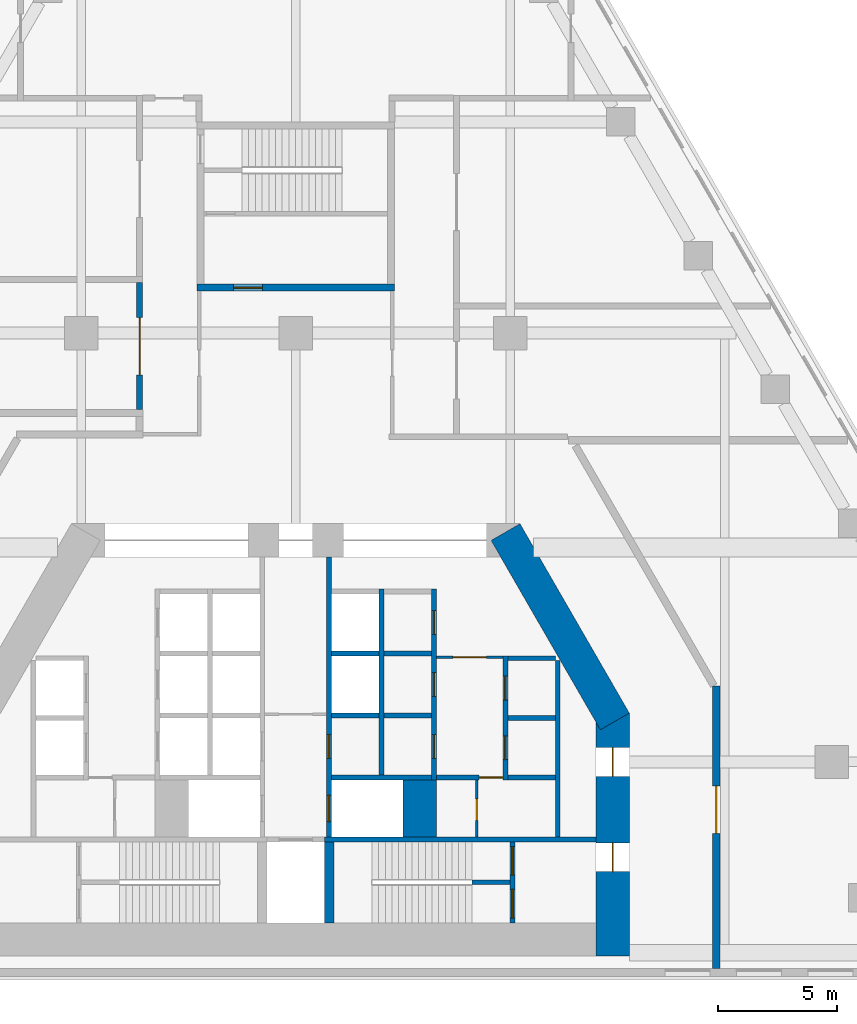
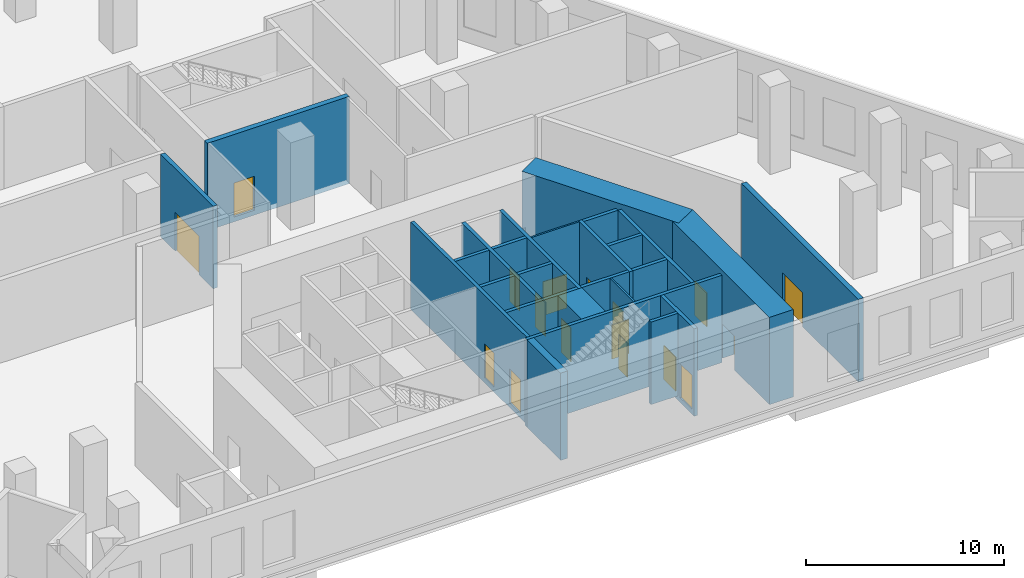
# One storey, part 6 of 10: 26 walls, 17 doors, 17 openings.
"""IFC4 building model written with IfcOpenShell, lengths in metres."""

from ifc_helpers import new_model, si_unit, direction, frame, frame_2d, origin, place, context, subcontext, project, spatial, rectangle, extrude, material, layer, layer_set, type_object, element, fill, save


model = new_model("IFC4")

# Units and contexts
model_context = context("Model", 3, precision=1e-05, world=origin(), true_north=direction((0.0, 1.0)))
body_context = subcontext(model_context, "Body", "Model", "MODEL_VIEW")
ifc_project = project(units=[si_unit("LENGTHUNIT", "METRE"), si_unit("AREAUNIT", "SQUARE_METRE"), si_unit("VOLUMEUNIT", "CUBIC_METRE"), si_unit("PLANEANGLEUNIT", "RADIAN"), si_unit("MASSUNIT", "GRAM", prefix="KILO")], contexts=[model_context])

# Site, building, storey
site_placement = place(None, origin())
site = spatial("IfcSite", under=ifc_project, at=site_placement, CompositionType="ELEMENT")
building_placement = place(site_placement, origin())
building = spatial("IfcBuilding", under=site, at=building_placement, Name="Fogline Exchange Tower", CompositionType="ELEMENT")
storey_placement = place(building_placement, frame((0.0, 0.0, 47.5)))
storey = spatial("IfcBuildingStorey", under=building, at=storey_placement, Name="L09", CompositionType="ELEMENT", Elevation=47.5)

# Wall, opening, door
ifc_material_1 = material(Name="Blockwork partition", Category="masonry")
ifc_layer_1 = layer(ifc_material_1, 0.10009765625)
ifc_layer_set_1 = layer_set([ifc_layer_1], Name="CW10")
wall_type_1 = type_object("IfcWallType", Name="CW10", PredefinedType="PARTITIONING", material=ifc_layer_set_1)
wall_1_placement = place(storey_placement, frame((5.89990234375, 13.39990234375, 0.0), z_axis=(0.0, 0.0, 1.0), x_axis=(1.0, 0.0, 0.0)))
wall_1 = element("IfcWall", 1, at=wall_1_placement, inside=storey, type_object=wall_type_1, Name="Lift lobby partition", PredefinedType="PARTITIONING", context=body_context, shape_type="SweptSolid", body=[
    extrude(rectangle(XDim=2.800048828125, YDim=0.10009765625, at=frame_2d((1.39990234375, 0.0))), origin(), (0.0, 0.0, 1.0), 5.10009765625),
])
opening_1_placement = place(wall_1_placement, frame((0.699951171875, 0.0, 0.0)))
opening_1 = element("IfcOpeningElement", 2, at=opening_1_placement, cuts=wall_1, Name="Opening L09-C012", PredefinedType="OPENING", context=body_context, shape_type="SweptSolid", body=[
    extrude(rectangle(XDim=1.39990234375, YDim=2.10009765625, at=frame_2d((0.699951171875, 1.050048828125))), frame((0.0, 0.06005859375, 0.0), z_axis=(0.0, -1.0, 0.0), x_axis=(1.0, 0.0, 0.0)), (0.0, 0.0, 1.0), 0.1201171875),
])
ifc_material_2 = material(Name="Steel and timber fire door", Category="steel")
door_type_1 = type_object("IfcDoorType", Name="D-LB1", OperationType="DOUBLE_DOOR_SINGLE_SWING", PredefinedType="DOOR", material=ifc_material_2)
door_1_placement = place(opening_1_placement, frame((1.39990234375, 0.0, 0.0), z_axis=(0.0, 0.0, 1.0), x_axis=(-1.0, 0.0, 0.0)))
door_1 = element("IfcDoor", 3, at=door_1_placement, inside=storey, type_object=door_type_1, Name="Door to lift lobby", OperationType="DOUBLE_DOOR_SINGLE_SWING", OverallHeight=2.10009765625, OverallWidth=1.39990234375, PredefinedType="DOOR", context=body_context, shape_type="SweptSolid", body=[
    extrude(rectangle(XDim=1.39990234375, YDim=2.10009765625, at=frame_2d((0.699951171875, 1.050048828125))), frame((0.0, 0.02490234375, 0.0), z_axis=(0.0, -1.0, 0.0), x_axis=(1.0, 0.0, 0.0)), (0.0, 0.0, 1.0), 0.050048828125),
])
fill(opening_1, door_1)

wall_2_placement = place(storey_placement, frame((7.60009765625, 5.85009765625, 0.0), z_axis=(0.0, 0.0, 1.0), x_axis=(0.0, 1.0, 0.0)))
wall_2 = element("IfcWall", 4, at=wall_2_placement, inside=storey, type_object=wall_type_1, Name="WC partition", PredefinedType="PARTITIONING", context=body_context, shape_type="SweptSolid", body=[
    extrude(rectangle(XDim=2.39990234375, YDim=0.10009765625, at=frame_2d((1.199951171875, 0.0))), origin(), (0.0, 0.0, 1.0), 5.10009765625),
])
opening_2_placement = place(wall_2_placement, frame((0.699951171875, 0.0, 0.0)))
opening_2 = element("IfcOpeningElement", 5, at=opening_2_placement, cuts=wall_2, Name="Opening L09-C014", PredefinedType="OPENING", context=body_context, shape_type="SweptSolid", body=[
    extrude(rectangle(XDim=0.89990234375, YDim=2.10009765625, at=frame_2d((0.449951171875, 1.050048828125))), frame((0.0, 0.06005859375, 0.0), z_axis=(0.0, -1.0, 0.0), x_axis=(1.0, 0.0, 0.0)), (0.0, 0.0, 1.0), 0.1201171875),
])
door_type_2 = type_object("IfcDoorType", Name="D-CS1", OperationType="SINGLE_SWING_RIGHT", PredefinedType="DOOR", material=ifc_material_2)
door_2_placement = place(opening_2_placement, origin())
door_2 = element("IfcDoor", 6, at=door_2_placement, inside=storey, type_object=door_type_2, Name="Door to AHU Room", OperationType="SINGLE_SWING_LEFT", OverallHeight=2.10009765625, OverallWidth=0.89990234375, PredefinedType="DOOR", context=body_context, shape_type="SweptSolid", body=[
    extrude(rectangle(XDim=0.89990234375, YDim=2.10009765625, at=frame_2d((0.449951171875, 1.050048828125))), frame((0.0, 0.02490234375, 0.0), z_axis=(0.0, -1.0, 0.0), x_axis=(1.0, 0.0, 0.0)), (0.0, 0.0, 1.0), 0.050048828125),
])
fill(opening_2, door_2)

# Walls
ifc_material_3 = material(Name="Concrete C60", Category="concrete")
ifc_layer_2 = layer(ifc_material_3, 1.39990234375)
ifc_layer_set_2 = layer_set([ifc_layer_2], Name="CW140")
wall_type_2 = type_object("IfcWallType", Name="CW140", PredefinedType="SOLIDWALL", material=ifc_layer_set_2)
wall_3_placement = place(storey_placement, frame((5.199951171875, 5.85009765625, -0.300048828125), z_axis=(0.0, 0.0, 1.0), x_axis=(0.0, 1.0, 0.0)))
element("IfcWall", 7, at=wall_3_placement, inside=storey, type_object=wall_type_2, Name="Lift shaft block wall", PredefinedType="SOLIDWALL", context=body_context, shape_type="SweptSolid", body=[
    extrude(rectangle(XDim=2.39990234375, YDim=1.39990234375, at=frame_2d((1.199951171875, 0.0))), origin(), (0.0, 0.0, 1.0), 5.400146484375),
])
ifc_material_4 = material(Name="Concrete C40", Category="concrete")
ifc_layer_3 = layer(ifc_material_4, 0.199951171875)
ifc_layer_set_3 = layer_set([ifc_layer_3], Name="CW20")
wall_type_3 = type_object("IfcWallType", Name="CW20", PredefinedType="SOLIDWALL", material=ifc_layer_set_3)
wall_4_placement = place(storey_placement, frame((11.0, 5.85009765625, 0.0), z_axis=(0.0, 0.0, 1.0), x_axis=(0.0, 1.0, 0.0)))
element("IfcWall", 8, at=wall_4_placement, inside=storey, type_object=wall_type_3, Name="Service room wall", PredefinedType="SOLIDWALL", context=body_context, shape_type="SweptSolid", body=[
    extrude(rectangle(XDim=7.39990234375, YDim=0.199951171875, at=frame_2d((3.699951171875, 0.0))), origin(), (0.0, 0.0, 1.0), 5.10009765625),
])

# Wall, opening, door
wall_5_placement = place(storey_placement, frame((5.89990234375, 8.35009765625, 0.0), z_axis=(0.0, 0.0, 1.0), x_axis=(1.0, 0.0, 0.0)))
wall_5 = element("IfcWall", 9, at=wall_5_placement, inside=storey, type_object=wall_type_3, Name="WC wall", PredefinedType="SOLIDWALL", context=body_context, shape_type="SweptSolid", body=[
    extrude(rectangle(XDim=2.800048828125, YDim=0.199951171875, at=frame_2d((1.39990234375, 0.0))), origin(), (0.0, 0.0, 1.0), 5.10009765625),
])
opening_3_placement = place(wall_5_placement, frame((1.800048828125, 0.0, 0.0)))
opening_3 = element("IfcOpeningElement", 10, at=opening_3_placement, cuts=wall_5, Name="Opening L09-C013", PredefinedType="OPENING", context=body_context, shape_type="SweptSolid", body=[
    extrude(rectangle(XDim=1.0, YDim=2.10009765625, at=frame_2d((0.5, 1.050048828125))), frame((0.0, 0.10986328125, 0.0), z_axis=(0.0, -1.0, 0.0), x_axis=(1.0, 0.0, 0.0)), (0.0, 0.0, 1.0), 0.219970703125),
])
door_type_3 = type_object("IfcDoorType", Name="D-WC1", OperationType="SINGLE_SWING_LEFT", PredefinedType="DOOR", material=ifc_material_2)
door_3_placement = place(opening_3_placement, frame((1.0, 0.0, 0.0), z_axis=(0.0, 0.0, 1.0), x_axis=(-1.0, 0.0, 0.0)))
door_3 = element("IfcDoor", 11, at=door_3_placement, inside=storey, type_object=door_type_3, Name="Door to Women's WC", OperationType="SINGLE_SWING_LEFT", OverallHeight=2.10009765625, OverallWidth=1.0, PredefinedType="DOOR", context=body_context, shape_type="SweptSolid", body=[
    extrude(rectangle(XDim=1.0, YDim=2.10009765625, at=frame_2d((0.5, 1.050048828125))), frame((0.0, 0.02490234375, 0.0), z_axis=(0.0, -1.0, 0.0), x_axis=(1.0, 0.0, 0.0)), (0.0, 0.0, 1.0), 0.050048828125),
])
fill(opening_3, door_3)

# Walls
ifc_layer_4 = layer(ifc_material_4, 0.199951171875)
ifc_layer_set_4 = layer_set([ifc_layer_4], Name="CW20B")
wall_type_4 = type_object("IfcWallType", Name="CW20B", PredefinedType="SOLIDWALL", material=ifc_layer_set_4)
wall_6_placement = place(storey_placement, frame((7.39990234375, 3.949951171875, 0.0), z_axis=(0.0, 0.0, 1.0), x_axis=(1.0, 0.0, 0.0)))
element("IfcWall", 12, at=wall_6_placement, inside=storey, type_object=wall_type_4, Name="Stair separation wall", PredefinedType="SOLIDWALL", context=body_context, shape_type="SweptSolid", body=[
    extrude(rectangle(XDim=1.60009765625, YDim=0.199951171875, at=frame_2d((0.800048828125, 0.0))), origin(), (0.0, 0.0, 1.0), 5.10009765625),
])
ifc_layer_5 = layer(ifc_material_4, 0.199951171875)
ifc_layer_set_5 = layer_set([ifc_layer_5], Name="CW20R")
wall_type_5 = type_object("IfcWallType", Name="CW20R", PredefinedType="SOLIDWALL", material=ifc_layer_set_5)
wall_7_placement = place(storey_placement, frame((1.199951171875, 5.75, -0.300048828125), z_axis=(0.0, 0.0, 1.0), x_axis=(1.0, 0.0, 0.0)))
element("IfcWall", 13, at=wall_7_placement, inside=storey, type_object=wall_type_5, Name="Stair enclosure wall", PredefinedType="SOLIDWALL", context=body_context, shape_type="SweptSolid", body=[
    extrude(rectangle(XDim=11.400146484375, YDim=0.199951171875, at=frame_2d((5.7001953125, 0.0))), origin(), (0.0, 0.0, 1.0), 5.400146484375),
])

# Wall, openings, doors
wall_8_placement = place(storey_placement, frame((9.10009765625, 2.25, -0.300048828125), z_axis=(0.0, 0.0, 1.0), x_axis=(0.0, 1.0, 0.0)))
wall_8 = element("IfcWall", 14, at=wall_8_placement, inside=storey, type_object=wall_type_5, Name="Stair enclosure wall", PredefinedType="SOLIDWALL", context=body_context, shape_type="SweptSolid", body=[
    extrude(rectangle(XDim=3.39990234375, YDim=0.199951171875, at=frame_2d((1.699951171875, 0.0))), origin(), (0.0, 0.0, 1.0), 5.400146484375),
])
opening_4_placement = place(wall_8_placement, frame((0.199951171875, 0.0, 0.300048828125)))
opening_4 = element("IfcOpeningElement", 15, at=opening_4_placement, cuts=wall_8, Name="Opening L09-C016", PredefinedType="OPENING", context=body_context, shape_type="SweptSolid", body=[
    extrude(rectangle(XDim=1.199951171875, YDim=2.10009765625, at=frame_2d((0.60009765625, 1.050048828125))), frame((0.0, 0.10986328125, 0.0), z_axis=(0.0, -1.0, 0.0), x_axis=(1.0, 0.0, 0.0)), (0.0, 0.0, 1.0), 0.219970703125),
])
opening_5_placement = place(wall_8_placement, frame((2.0, 0.0, 0.300048828125)))
opening_5 = element("IfcOpeningElement", 16, at=opening_5_placement, cuts=wall_8, Name="Opening L09-C023", PredefinedType="OPENING", context=body_context, shape_type="SweptSolid", body=[
    extrude(rectangle(XDim=1.199951171875, YDim=2.10009765625, at=frame_2d((0.60009765625, 1.050048828125))), frame((0.0, 0.10986328125, 0.0), z_axis=(0.0, -1.0, 0.0), x_axis=(1.0, 0.0, 0.0)), (0.0, 0.0, 1.0), 0.219970703125),
])
door_type_4 = type_object("IfcDoorType", Name="D-ST1", OperationType="SINGLE_SWING_LEFT", PredefinedType="DOOR", material=ifc_material_2)
door_4_placement = place(opening_4_placement, origin())
door_4 = element("IfcDoor", 17, at=door_4_placement, inside=storey, type_object=door_type_4, Name="Stair door ST2", OperationType="SINGLE_SWING_LEFT", OverallHeight=2.10009765625, OverallWidth=1.199951171875, PredefinedType="DOOR", context=body_context, shape_type="SweptSolid", body=[
    extrude(rectangle(XDim=1.199951171875, YDim=2.10009765625, at=frame_2d((0.60009765625, 1.050048828125))), frame((0.0, 0.02490234375, 0.0), z_axis=(0.0, -1.0, 0.0), x_axis=(1.0, 0.0, 0.0)), (0.0, 0.0, 1.0), 0.050048828125),
])
fill(opening_4, door_4)
door_5_placement = place(opening_5_placement, frame((1.199951171875, 0.0, 0.0), z_axis=(0.0, 0.0, 1.0), x_axis=(-1.0, 0.0, 0.0)))
door_5 = element("IfcDoor", 18, at=door_5_placement, inside=storey, type_object=door_type_4, Name="Stair arrival door ST2", OperationType="SINGLE_SWING_LEFT", OverallHeight=2.10009765625, OverallWidth=1.199951171875, PredefinedType="DOOR", context=body_context, shape_type="SweptSolid", body=[
    extrude(rectangle(XDim=1.199951171875, YDim=2.10009765625, at=frame_2d((0.60009765625, 1.050048828125))), frame((0.0, 0.02490234375, 0.0), z_axis=(0.0, -1.0, 0.0), x_axis=(1.0, 0.0, 0.0)), (0.0, 0.0, 1.0), 0.050048828125),
])
fill(opening_5, door_5)

ifc_layer_6 = layer(ifc_material_4, 0.199951171875)
ifc_layer_set_6 = layer_set([ifc_layer_6], Name="CW20S")
wall_type_6 = type_object("IfcWallType", Name="CW20S", PredefinedType="SOLIDWALL", material=ifc_layer_set_6)
wall_9_placement = place(storey_placement, frame((8.800048828125, 8.25, -0.300048828125), z_axis=(0.0, 0.0, 1.0), x_axis=(0.0, 1.0, 0.0)))
wall_9 = element("IfcWall", 19, at=wall_9_placement, inside=storey, type_object=wall_type_6, Name="Lift shaft wall", PredefinedType="SOLIDWALL", context=body_context, shape_type="SweptSolid", body=[
    extrude(rectangle(XDim=5.199951171875, YDim=0.199951171875, at=frame_2d((2.60009765625, 0.0))), origin(), (0.0, 0.0, 1.0), 5.400146484375),
])
opening_6_placement = place(wall_9_placement, frame((0.85009765625, 0.0, 0.300048828125)))
opening_6 = element("IfcOpeningElement", 20, at=opening_6_placement, cuts=wall_9, Name="Opening L09-C001", PredefinedType="OPENING", context=body_context, shape_type="SweptSolid", body=[
    extrude(rectangle(XDim=1.0, YDim=2.10009765625, at=frame_2d((0.5, 1.050048828125))), frame((0.0, 0.10986328125, 0.0), z_axis=(0.0, -1.0, 0.0), x_axis=(1.0, 0.0, 0.0)), (0.0, 0.0, 1.0), 0.219970703125),
])
opening_7_placement = place(wall_9_placement, frame((3.35009765625, 0.0, 0.300048828125)))
opening_7 = element("IfcOpeningElement", 21, at=opening_7_placement, cuts=wall_9, Name="Opening L09-C002", PredefinedType="OPENING", context=body_context, shape_type="SweptSolid", body=[
    extrude(rectangle(XDim=1.0, YDim=2.10009765625, at=frame_2d((0.5, 1.050048828125))), frame((0.0, 0.10986328125, 0.0), z_axis=(0.0, -1.0, 0.0), x_axis=(1.0, 0.0, 0.0)), (0.0, 0.0, 1.0), 0.219970703125),
])
door_type_5 = type_object("IfcDoorType", Name="D-RM1", OperationType="SINGLE_SWING_LEFT", PredefinedType="DOOR", material=ifc_material_2)
door_6_placement = place(opening_6_placement, frame((1.0, 0.0, 0.0), z_axis=(0.0, 0.0, 1.0), x_axis=(-1.0, 0.0, 0.0)))
door_6 = element("IfcDoor", 22, at=door_6_placement, inside=storey, type_object=door_type_5, Name="Door to Switch Room", OperationType="SINGLE_SWING_LEFT", OverallHeight=2.10009765625, OverallWidth=1.0, PredefinedType="DOOR", context=body_context, shape_type="SweptSolid", body=[
    extrude(rectangle(XDim=1.0, YDim=2.10009765625, at=frame_2d((0.5, 1.050048828125))), frame((0.0, 0.02490234375, 0.0), z_axis=(0.0, -1.0, 0.0), x_axis=(1.0, 0.0, 0.0)), (0.0, 0.0, 1.0), 0.050048828125),
])
fill(opening_6, door_6)
door_7_placement = place(opening_7_placement, frame((1.0, 0.0, 0.0), z_axis=(0.0, 0.0, 1.0), x_axis=(-1.0, 0.0, 0.0)))
door_7 = element("IfcDoor", 23, at=door_7_placement, inside=storey, type_object=door_type_5, Name="Door to Mechanical Plant Room", OperationType="SINGLE_SWING_LEFT", OverallHeight=2.10009765625, OverallWidth=1.0, PredefinedType="DOOR", context=body_context, shape_type="SweptSolid", body=[
    extrude(rectangle(XDim=1.0, YDim=2.10009765625, at=frame_2d((0.5, 1.050048828125))), frame((0.0, 0.02490234375, 0.0), z_axis=(0.0, -1.0, 0.0), x_axis=(1.0, 0.0, 0.0)), (0.0, 0.0, 1.0), 0.050048828125),
])
fill(opening_7, door_7)

wall_10_placement = place(storey_placement, frame((5.800048828125, 8.25, -0.300048828125), z_axis=(0.0, 0.0, 1.0), x_axis=(0.0, 1.0, 0.0)))
wall_10 = element("IfcWall", 24, at=wall_10_placement, inside=storey, type_object=wall_type_6, Name="Lift shaft wall", PredefinedType="SOLIDWALL", context=body_context, shape_type="SweptSolid", body=[
    extrude(rectangle(XDim=8.0, YDim=0.199951171875, at=frame_2d((4.0, 0.0))), origin(), (0.0, 0.0, 1.0), 5.400146484375),
])
opening_8_placement = place(wall_10_placement, frame((0.89990234375, 0.0, 0.300048828125)))
opening_8 = element("IfcOpeningElement", 25, at=opening_8_placement, cuts=wall_10, Name="Opening L09-C003", PredefinedType="OPENING", context=body_context, shape_type="SweptSolid", body=[
    extrude(rectangle(XDim=1.0, YDim=2.10009765625, at=frame_2d((0.5, 1.050048828125))), frame((0.0, 0.10986328125, 0.0), z_axis=(0.0, -1.0, 0.0), x_axis=(1.0, 0.0, 0.0)), (0.0, 0.0, 1.0), 0.219970703125),
])
opening_9_placement = place(wall_10_placement, frame((3.5, 0.0, 0.300048828125)))
opening_9 = element("IfcOpeningElement", 26, at=opening_9_placement, cuts=wall_10, Name="Opening L09-C004", PredefinedType="OPENING", context=body_context, shape_type="SweptSolid", body=[
    extrude(rectangle(XDim=1.0, YDim=2.10009765625, at=frame_2d((0.5, 1.050048828125))), frame((0.0, 0.10986328125, 0.0), z_axis=(0.0, -1.0, 0.0), x_axis=(1.0, 0.0, 0.0)), (0.0, 0.0, 1.0), 0.219970703125),
])
opening_10_placement = place(wall_10_placement, frame((6.10009765625, 0.0, 0.300048828125)))
opening_10 = element("IfcOpeningElement", 27, at=opening_10_placement, cuts=wall_10, Name="Opening L09-C005", PredefinedType="OPENING", context=body_context, shape_type="SweptSolid", body=[
    extrude(rectangle(XDim=1.0, YDim=2.10009765625, at=frame_2d((0.5, 1.050048828125))), frame((0.0, 0.10986328125, 0.0), z_axis=(0.0, -1.0, 0.0), x_axis=(1.0, 0.0, 0.0)), (0.0, 0.0, 1.0), 0.219970703125),
])
door_8_placement = place(opening_8_placement, origin())
door_8 = element("IfcDoor", 28, at=door_8_placement, inside=storey, type_object=door_type_5, Name="Door to Plumbing Plant Room", OperationType="SINGLE_SWING_RIGHT", OverallHeight=2.10009765625, OverallWidth=1.0, PredefinedType="DOOR", context=body_context, shape_type="SweptSolid", body=[
    extrude(rectangle(XDim=1.0, YDim=2.10009765625, at=frame_2d((0.5, 1.050048828125))), frame((0.0, 0.02490234375, 0.0), z_axis=(0.0, -1.0, 0.0), x_axis=(1.0, 0.0, 0.0)), (0.0, 0.0, 1.0), 0.050048828125),
])
fill(opening_8, door_8)
door_9_placement = place(opening_9_placement, origin())
door_9 = element("IfcDoor", 29, at=door_9_placement, inside=storey, type_object=door_type_5, Name="Door to Pump Plant Room", OperationType="SINGLE_SWING_LEFT", OverallHeight=2.10009765625, OverallWidth=1.0, PredefinedType="DOOR", context=body_context, shape_type="SweptSolid", body=[
    extrude(rectangle(XDim=1.0, YDim=2.10009765625, at=frame_2d((0.5, 1.050048828125))), frame((0.0, 0.02490234375, 0.0), z_axis=(0.0, -1.0, 0.0), x_axis=(1.0, 0.0, 0.0)), (0.0, 0.0, 1.0), 0.050048828125),
])
fill(opening_9, door_9)
door_10_placement = place(opening_10_placement, origin())
door_10 = element("IfcDoor", 30, at=door_10_placement, inside=storey, type_object=door_type_5, Name="Door to Plant Room", OperationType="SINGLE_SWING_LEFT", OverallHeight=2.10009765625, OverallWidth=1.0, PredefinedType="DOOR", context=body_context, shape_type="SweptSolid", body=[
    extrude(rectangle(XDim=1.0, YDim=2.10009765625, at=frame_2d((0.5, 1.050048828125))), frame((0.0, 0.02490234375, 0.0), z_axis=(0.0, -1.0, 0.0), x_axis=(1.0, 0.0, 0.0)), (0.0, 0.0, 1.0), 0.050048828125),
])
fill(opening_10, door_10)

# Wall
wall_11_placement = place(storey_placement, frame((3.60009765625, 8.449951171875, -0.300048828125), z_axis=(0.0, 0.0, 1.0), x_axis=(0.0, 1.0, 0.0)))
element("IfcWall", 31, at=wall_11_placement, inside=storey, type_object=wall_type_6, Name="Lift shaft wall", PredefinedType="SOLIDWALL", context=body_context, shape_type="SweptSolid", body=[
    extrude(rectangle(XDim=7.800048828125, YDim=0.199951171875, at=frame_2d((3.89990234375, 0.0))), origin(), (0.0, 0.0, 1.0), 5.400146484375),
])

# Wall, openings, doors
wall_12_placement = place(storey_placement, frame((1.39990234375, 5.85009765625, -0.300048828125), z_axis=(0.0, 0.0, 1.0), x_axis=(0.0, 1.0, 0.0)))
wall_12 = element("IfcWall", 32, at=wall_12_placement, inside=storey, type_object=wall_type_6, Name="Lift lobby wall", PredefinedType="SOLIDWALL", context=body_context, shape_type="SweptSolid", body=[
    extrude(rectangle(XDim=11.75, YDim=0.199951171875, at=frame_2d((5.875, 0.0))), origin(), (0.0, 0.0, 1.0), 5.400146484375),
])
opening_11_placement = place(wall_12_placement, frame((0.64990234375, 0.0, 0.300048828125)))
opening_11 = element("IfcOpeningElement", 33, at=opening_11_placement, cuts=wall_12, Name="Opening L09-LD08", PredefinedType="OPENING", context=body_context, shape_type="SweptSolid", body=[
    extrude(rectangle(XDim=1.10009765625, YDim=2.10009765625, at=frame_2d((0.550048828125, 1.050048828125))), frame((0.0, 0.10986328125, 0.0), z_axis=(0.0, -1.0, 0.0), x_axis=(1.0, 0.0, 0.0)), (0.0, 0.0, 1.0), 0.219970703125),
])
opening_12_placement = place(wall_12_placement, frame((3.300048828125, 0.0, 0.300048828125)))
opening_12 = element("IfcOpeningElement", 34, at=opening_12_placement, cuts=wall_12, Name="Opening L09-C006", PredefinedType="OPENING", context=body_context, shape_type="SweptSolid", body=[
    extrude(rectangle(XDim=1.0, YDim=2.10009765625, at=frame_2d((0.5, 1.050048828125))), frame((0.0, 0.10986328125, 0.0), z_axis=(0.0, -1.0, 0.0), x_axis=(1.0, 0.0, 0.0)), (0.0, 0.0, 1.0), 0.219970703125),
])
door_11_placement = place(opening_12_placement, frame((1.0, 0.0, 0.0), z_axis=(0.0, 0.0, 1.0), x_axis=(-1.0, 0.0, 0.0)))
door_11 = element("IfcDoor", 35, at=door_11_placement, inside=storey, type_object=door_type_5, Name="Door to Mechanical Room", OperationType="SINGLE_SWING_RIGHT", OverallHeight=2.10009765625, OverallWidth=1.0, PredefinedType="DOOR", context=body_context, shape_type="SweptSolid", body=[
    extrude(rectangle(XDim=1.0, YDim=2.10009765625, at=frame_2d((0.5, 1.050048828125))), frame((0.0, 0.02490234375, 0.0), z_axis=(0.0, -1.0, 0.0), x_axis=(1.0, 0.0, 0.0)), (0.0, 0.0, 1.0), 0.050048828125),
])
fill(opening_12, door_11)
door_type_6 = type_object("IfcDoorType", Name="LD2", OperationType="SLIDING_TO_RIGHT", PredefinedType="DOOR", material=ifc_material_2)
door_12_placement = place(opening_11_placement, origin())
door_12 = element("IfcDoor", 36, at=door_12_placement, inside=storey, type_object=door_type_6, Name="Landing door FF2", OperationType="SLIDING_TO_RIGHT", OverallHeight=2.10009765625, OverallWidth=1.10009765625, PredefinedType="DOOR", context=body_context, shape_type="SweptSolid", body=[
    extrude(rectangle(XDim=1.10009765625, YDim=2.10009765625, at=frame_2d((0.550048828125, 1.050048828125))), frame((0.0, 0.02490234375, 0.0), z_axis=(0.0, -1.0, 0.0), x_axis=(1.0, 0.0, 0.0)), (0.0, 0.0, 1.0), 0.050048828125),
])
fill(opening_11, door_12)

# Walls
wall_13_placement = place(storey_placement, frame((8.89990234375, 8.35009765625, -0.300048828125), z_axis=(0.0, 0.0, 1.0), x_axis=(1.0, 0.0, 0.0)))
element("IfcWall", 37, at=wall_13_placement, inside=storey, type_object=wall_type_6, Name="Lift shaft wall", PredefinedType="SOLIDWALL", context=body_context, shape_type="SweptSolid", body=[
    extrude(rectangle(XDim=2.0, YDim=0.199951171875, at=frame_2d((1.0, 0.0))), origin(), (0.0, 0.0, 1.0), 5.400146484375),
])
wall_14_placement = place(storey_placement, frame((1.5, 8.35009765625, -0.300048828125), z_axis=(0.0, 0.0, 1.0), x_axis=(1.0, 0.0, 0.0)))
element("IfcWall", 38, at=wall_14_placement, inside=storey, type_object=wall_type_6, Name="Lift shaft wall", PredefinedType="SOLIDWALL", context=body_context, shape_type="SweptSolid", body=[
    extrude(rectangle(XDim=4.199951171875, YDim=0.199951171875, at=frame_2d((2.10009765625, 0.0))), origin(), (0.0, 0.0, 1.0), 5.400146484375),
])
for number, where, z_axis, x_axis, name in (
    (39, (8.89990234375, 10.85009765625, -0.300048828125), (0.0, 0.0, 1.0), (1.0, 0.0, 0.0), "Lift shaft wall"),
    (40, (8.89990234375, 13.35009765625, -0.300048828125), (0.0, 0.0, 1.0), (1.0, 0.0, 0.0), "Lift shaft wall"),
    (41, (3.699951171875, 10.949951171875, -0.300048828125), (0.0, 0.0, 1.0), (1.0, 0.0, 0.0), "Lift shaft wall"),
    (42, (3.699951171875, 13.550048828125, -0.300048828125), (0.0, 0.0, 1.0), (1.0, 0.0, 0.0), "Lift shaft wall"),
    (43, (1.5, 10.949951171875, -0.300048828125), (0.0, 0.0, 1.0), (1.0, 0.0, 0.0), "Lift shaft wall"),
    (44, (1.5, 13.550048828125, -0.300048828125), (0.0, 0.0, 1.0), (1.0, 0.0, 0.0), "Lift shaft wall"),
):
    element("IfcWall", number, at=place(storey_placement, frame(where, z_axis=z_axis, x_axis=x_axis)), inside=storey, type_object=wall_type_6, Name=name, PredefinedType="SOLIDWALL", context=body_context, shape_type="SweptSolid", body=[
        extrude(rectangle(XDim=2.0, YDim=0.199951171875, at=frame_2d((1.0, 0.0))), origin(), (0.0, 0.0, 1.0), 5.400146484375),
    ])

# Wall, opening, door
ifc_layer_7 = layer(ifc_material_4, 0.300048828125)
ifc_layer_set_7 = layer_set([ifc_layer_7], Name="CW30")
wall_type_7 = type_object("IfcWallType", Name="CW30", PredefinedType="SOLIDWALL", material=ifc_layer_set_7)
wall_15_placement = place(storey_placement, frame((-4.14990234375, 28.906982421875, -0.300048828125), z_axis=(0.0, 0.0, 1.0), x_axis=(1.0, 0.0, 0.0)))
wall_15 = element("IfcWall", 45, at=wall_15_placement, inside=storey, type_object=wall_type_7, Name="Stair enclosure wall ST3", PredefinedType="SOLIDWALL", context=body_context, shape_type="SweptSolid", body=[
    extrude(rectangle(XDim=8.2998046875, YDim=0.300048828125, at=frame_2d((4.14990234375, 0.0))), origin(), (0.0, 0.0, 1.0), 5.400146484375),
])
opening_13_placement = place(wall_15_placement, frame((1.550048828125, 0.0, 0.300048828125)))
opening_13 = element("IfcOpeningElement", 46, at=opening_13_placement, cuts=wall_15, Name="Opening L09-C024", PredefinedType="OPENING", context=body_context, shape_type="SweptSolid", body=[
    extrude(rectangle(XDim=1.199951171875, YDim=2.10009765625, at=frame_2d((0.60009765625, 1.050048828125))), frame((0.0, 0.16015625, 0.0), z_axis=(0.0, -1.0, 0.0), x_axis=(1.0, 0.0, 0.0)), (0.0, 0.0, 1.0), 0.320068359375),
])
door_type_7 = type_object("IfcDoorType", Name="D-FR1", OperationType="SINGLE_SWING_RIGHT", PredefinedType="DOOR", material=ifc_material_2)
door_13_placement = place(opening_13_placement, origin())
door_13 = element("IfcDoor", 47, at=door_13_placement, inside=storey, type_object=door_type_7, Name="Front room door ST3", OperationType="SINGLE_SWING_LEFT", OverallHeight=2.10009765625, OverallWidth=1.199951171875, PredefinedType="DOOR", context=body_context, shape_type="SweptSolid", body=[
    extrude(rectangle(XDim=1.199951171875, YDim=2.10009765625, at=frame_2d((0.60009765625, 1.050048828125))), frame((0.0, 0.02490234375, 0.0), z_axis=(0.0, -1.0, 0.0), x_axis=(1.0, 0.0, 0.0)), (0.0, 0.0, 1.0), 0.050048828125),
])
fill(opening_13, door_13)

# Wall
ifc_layer_8 = layer(ifc_material_4, 0.39990234375)
ifc_layer_set_8 = layer_set([ifc_layer_8], Name="CW40R")
wall_type_8 = type_object("IfcWallType", Name="CW40R", PredefinedType="SOLIDWALL", material=ifc_layer_set_8)
wall_16_placement = place(storey_placement, frame((1.39990234375, 2.25, -0.300048828125), z_axis=(0.0, 0.0, 1.0), x_axis=(0.0, 1.0, 0.0)))
element("IfcWall", 48, at=wall_16_placement, inside=storey, type_object=wall_type_8, Name="Stair and lift shaft wall", PredefinedType="SOLIDWALL", context=body_context, shape_type="SweptSolid", body=[
    extrude(rectangle(XDim=3.39990234375, YDim=0.39990234375, at=frame_2d((1.699951171875, 0.0))), origin(), (0.0, 0.0, 1.0), 5.400146484375),
])

# Wall, opening, door
ifc_layer_9 = layer(ifc_material_4, 0.25)
ifc_layer_set_9 = layer_set([ifc_layer_9], Name="PP3")
wall_type_9 = type_object("IfcWallType", Name="PP3", PredefinedType="SOLIDWALL", material=ifc_layer_set_9)
wall_17_placement = place(storey_placement, frame((-6.550048828125, 23.800048828125, 0.0), z_axis=(0.0, 0.0, 1.0), x_axis=(0.0, 1.0, 0.0)))
wall_17 = element("IfcWall", 49, at=wall_17_placement, inside=storey, type_object=wall_type_9, Name="PP3 partition", PredefinedType="SOLIDWALL", context=body_context, shape_type="SweptSolid", body=[
    extrude(rectangle(XDim=5.31787109375, YDim=0.25, at=frame_2d((2.658935546875, 0.0))), origin(), (0.0, 0.0, 1.0), 5.10009765625),
])
opening_14_placement = place(wall_17_placement, frame((1.446533203125, 0.0, 0.0)))
opening_14 = element("IfcOpeningElement", 50, at=opening_14_placement, cuts=wall_17, Name="Opening L09-D005", PredefinedType="OPENING", context=body_context, shape_type="SweptSolid", body=[
    extrude(rectangle(XDim=2.39990234375, YDim=2.39990234375, at=frame_2d((1.199951171875, 1.199951171875))), frame((0.0, 0.135009765625, 0.0), z_axis=(0.0, -1.0, 0.0), x_axis=(1.0, 0.0, 0.0)), (0.0, 0.0, 1.0), 0.27001953125),
])
ifc_material_5 = material(Name="Steel Q235B", Category="steel")
door_type_8 = type_object("IfcDoorType", Name="PD9", OperationType="DOUBLE_DOOR_SINGLE_SWING", PredefinedType="DOOR", material=ifc_material_5)
door_14_placement = place(opening_14_placement, origin())
door_14 = element("IfcDoor", 51, at=door_14_placement, inside=storey, type_object=door_type_8, Name="L09-D005", OperationType="DOUBLE_DOOR_SINGLE_SWING", OverallHeight=2.39990234375, OverallWidth=2.39990234375, PredefinedType="DOOR", context=body_context, shape_type="SweptSolid", body=[
    extrude(rectangle(XDim=2.39990234375, YDim=2.39990234375, at=frame_2d((1.199951171875, 1.199951171875))), frame((0.0, 0.02490234375, 0.0), z_axis=(0.0, -1.0, 0.0), x_axis=(1.0, 0.0, 0.0)), (0.0, 0.0, 1.0), 0.050048828125),
])
fill(opening_14, door_14)

ifc_layer_10 = layer(ifc_material_4, 0.300048828125)
ifc_layer_set_10 = layer_set([ifc_layer_10], Name="PP4")
wall_type_10 = type_object("IfcWallType", Name="PP4", PredefinedType="SOLIDWALL", material=ifc_layer_set_10)
wall_18_placement = place(storey_placement, frame((17.64990234375, 12.1806640625, 0.0), z_axis=(0.0, 0.0, 1.0), x_axis=(0.0, -1.0, 0.0)))
wall_18 = element("IfcWall", 52, at=wall_18_placement, inside=storey, type_object=wall_type_10, Name="PP4 partition", PredefinedType="SOLIDWALL", context=body_context, shape_type="SweptSolid", body=[
    extrude(rectangle(XDim=11.840576171875, YDim=0.300048828125, at=frame_2d((5.92041015625, 0.0))), origin(), (0.0, 0.0, 1.0), 5.10009765625),
])
opening_15_placement = place(wall_18_placement, frame((4.1806640625, 0.0, 0.0)))
opening_15 = element("IfcOpeningElement", 53, at=opening_15_placement, cuts=wall_18, Name="Opening L09-D012", PredefinedType="OPENING", context=body_context, shape_type="SweptSolid", body=[
    extrude(rectangle(XDim=2.0, YDim=2.10009765625, at=frame_2d((1.0, 1.050048828125))), frame((0.0, 0.16015625, 0.0), z_axis=(0.0, -1.0, 0.0), x_axis=(1.0, 0.0, 0.0)), (0.0, 0.0, 1.0), 0.320068359375),
])
door_type_9 = type_object("IfcDoorType", Name="PD6", OperationType="DOUBLE_DOOR_SINGLE_SWING", PredefinedType="DOOR", material=ifc_material_5)
door_15_placement = place(opening_15_placement, frame((2.0, 0.0, 0.0), z_axis=(0.0, 0.0, 1.0), x_axis=(-1.0, 0.0, 0.0)))
door_15 = element("IfcDoor", 54, at=door_15_placement, inside=storey, type_object=door_type_9, Name="L09-D012", OperationType="DOUBLE_DOOR_SINGLE_SWING", OverallHeight=2.10009765625, OverallWidth=2.0, PredefinedType="DOOR", context=body_context, shape_type="SweptSolid", body=[
    extrude(rectangle(XDim=2.0, YDim=2.10009765625, at=frame_2d((1.0, 1.050048828125))), frame((0.0, 0.02490234375, 0.0), z_axis=(0.0, -1.0, 0.0), x_axis=(1.0, 0.0, 0.0)), (0.0, 0.0, 1.0), 0.050048828125),
])
fill(opening_15, door_15)

# Wall, openings, doors
ifc_layer_11 = layer(ifc_material_3, 1.39990234375)
ifc_layer_set_11 = layer_set([ifc_layer_11], Name="SW01")
wall_type_11 = type_object("IfcWallType", Name="SW01", PredefinedType="SHEAR", material=ifc_layer_set_11)
wall_19_placement = place(storey_placement, frame((13.300048828125, 0.85009765625, 0.0), z_axis=(0.0, 0.0, 1.0), x_axis=(0.0, 1.0, 0.0)))
wall_19 = element("IfcWall", 55, at=wall_19_placement, inside=storey, type_object=wall_type_11, Name="L09-W902", PredefinedType="SHEAR", context=body_context, shape_type="SweptSolid", body=[
    extrude(rectangle(XDim=10.202392578125, YDim=1.39990234375, at=frame_2d((5.10107421875, 0.0))), origin(), (0.0, 0.0, 1.0), 5.39990234375),
])
opening_16_placement = place(wall_19_placement, frame((3.550048828125, 0.0, 0.0)))
opening_16 = element("IfcOpeningElement", 56, at=opening_16_placement, cuts=wall_19, Name="Opening L09-C015", PredefinedType="OPENING", context=body_context, shape_type="SweptSolid", body=[
    extrude(rectangle(XDim=1.199951171875, YDim=2.10009765625, at=frame_2d((0.60009765625, 1.050048828125))), frame((0.0, 0.7099609375, 0.0), z_axis=(0.0, -1.0, 0.0), x_axis=(1.0, 0.0, 0.0)), (0.0, 0.0, 1.0), 1.419921875),
])
opening_17_placement = place(wall_19_placement, frame((7.550048828125, 0.0, 0.0)))
opening_17 = element("IfcOpeningElement", 57, at=opening_17_placement, cuts=wall_19, Name="Opening L09-C017", PredefinedType="OPENING", context=body_context, shape_type="SweptSolid", body=[
    extrude(rectangle(XDim=1.199951171875, YDim=2.10009765625, at=frame_2d((0.60009765625, 1.050048828125))), frame((0.0, 0.7099609375, 0.0), z_axis=(0.0, -1.0, 0.0), x_axis=(1.0, 0.0, 0.0)), (0.0, 0.0, 1.0), 1.419921875),
])
door_16_placement = place(opening_16_placement, origin())
door_16 = element("IfcDoor", 58, at=door_16_placement, inside=storey, type_object=door_type_7, Name="Front room door ST2", OperationType="SINGLE_SWING_RIGHT", OverallHeight=2.10009765625, OverallWidth=1.199951171875, PredefinedType="DOOR", context=body_context, shape_type="SweptSolid", body=[
    extrude(rectangle(XDim=1.199951171875, YDim=2.10009765625, at=frame_2d((0.60009765625, 1.050048828125))), frame((0.0, 0.02490234375, 0.0), z_axis=(0.0, -1.0, 0.0), x_axis=(1.0, 0.0, 0.0)), (0.0, 0.0, 1.0), 0.050048828125),
])
fill(opening_16, door_16)
door_type_10 = type_object("IfcDoorType", Name="D-SV1", OperationType="SINGLE_SWING_LEFT", PredefinedType="DOOR", material=ifc_material_2)
door_17_placement = place(opening_17_placement, origin())
door_17 = element("IfcDoor", 59, at=door_17_placement, inside=storey, type_object=door_type_10, Name="Service door E", OperationType="SINGLE_SWING_RIGHT", OverallHeight=2.10009765625, OverallWidth=1.199951171875, PredefinedType="DOOR", context=body_context, shape_type="SweptSolid", body=[
    extrude(rectangle(XDim=1.199951171875, YDim=2.10009765625, at=frame_2d((0.60009765625, 1.050048828125))), frame((0.0, 0.02490234375, 0.0), z_axis=(0.0, -1.0, 0.0), x_axis=(1.0, 0.0, 0.0)), (0.0, 0.0, 1.0), 0.050048828125),
])
fill(opening_17, door_17)

# Wall
wall_20_placement = place(storey_placement, frame((13.393798828125, 10.70263671875, 0.0), z_axis=(0.0, 0.0, 1.0), x_axis=(-0.50000187635, 0.866024320471, 0.0)))
element("IfcWall", 60, at=wall_20_placement, inside=storey, type_object=wall_type_11, Name="L09-W903", PredefinedType="SHEAR", context=body_context, shape_type="SweptSolid", body=[
    extrude(rectangle(XDim=9.1767578125, YDim=1.39990234375, at=frame_2d((4.58837890625, 0.0))), origin(), (0.0, 0.0, 1.0), 5.39990234375),
])

save(model, "model.ifc")
